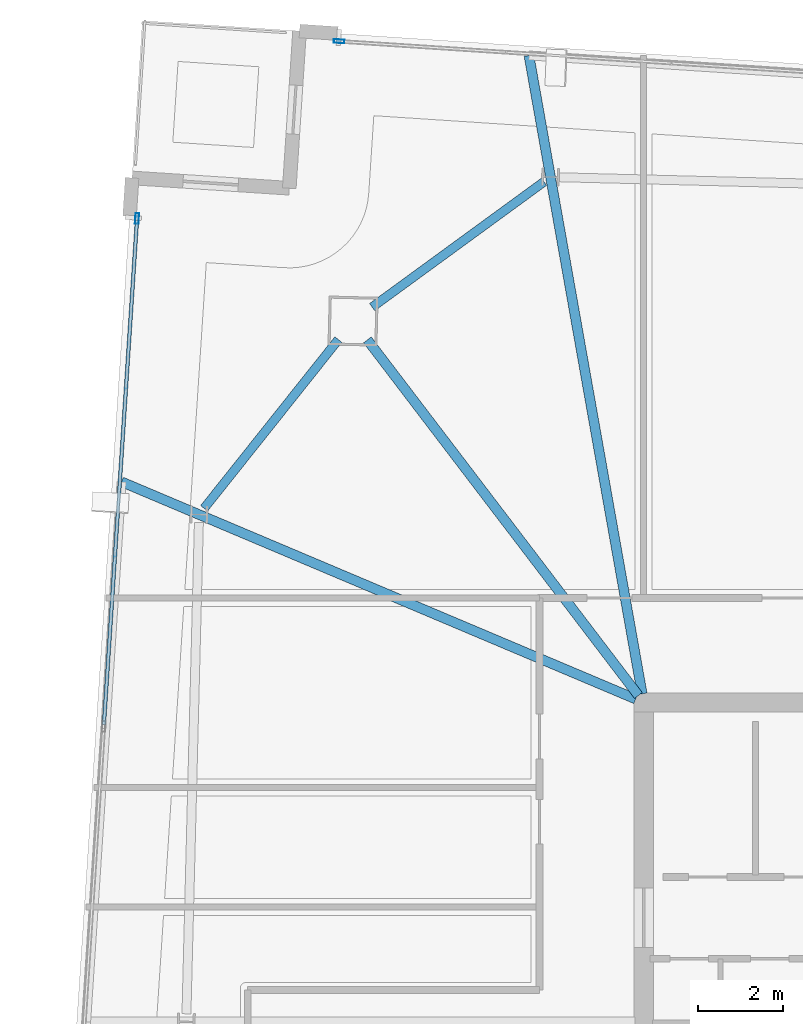
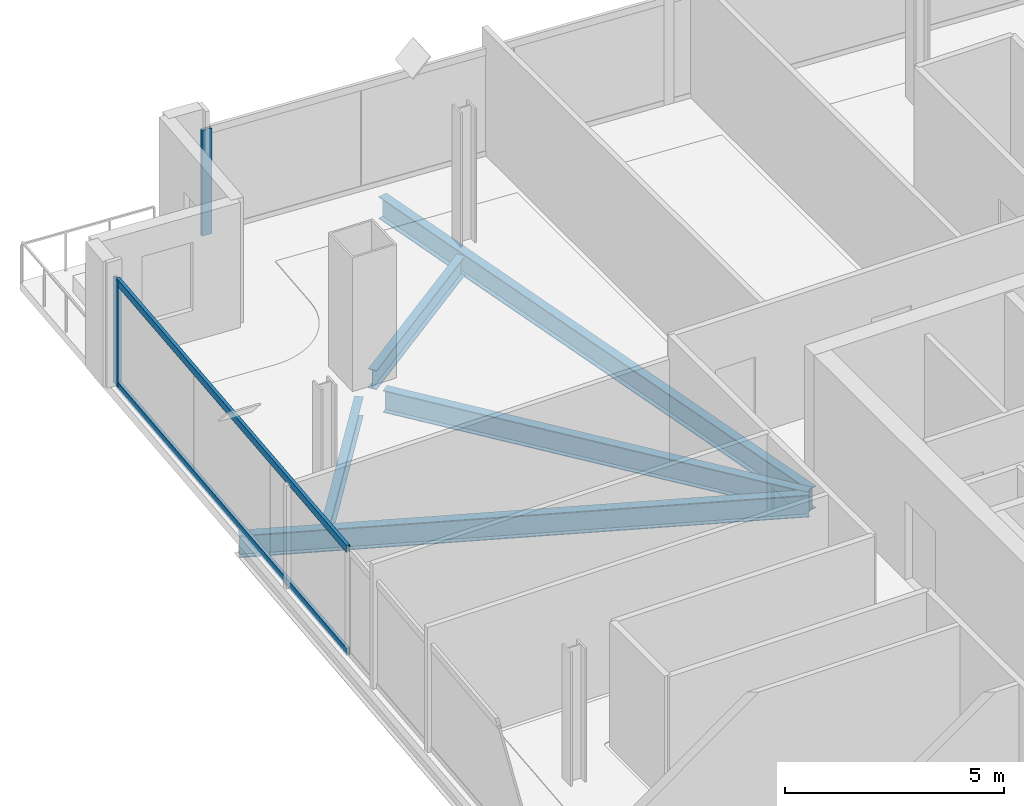
# One storey, part 12 of 24: 5 beams, 4 members, 2 elements without a shape of their own.
"""IFC4 building model written with IfcOpenShell, lengths in metres."""

from ifc_helpers import new_model, si_unit, direction, frame, origin, origin_2d, place, context, subcontext, project, spatial, hollow_rectangle, i_section, extrude, material, material_profile, profile_set, type_object, element, aggregate, save


model = new_model("IFC4")

# Units and contexts
model_context = context("Model", 3, precision=1e-05, world=origin(), true_north=direction((0.0, 1.0)))
body_context = subcontext(model_context, "Body", "Model", "MODEL_VIEW")
ifc_project = project(units=[si_unit("LENGTHUNIT", "METRE"), si_unit("AREAUNIT", "SQUARE_METRE"), si_unit("VOLUMEUNIT", "CUBIC_METRE"), si_unit("PLANEANGLEUNIT", "RADIAN"), si_unit("MASSUNIT", "GRAM", prefix="KILO")], contexts=[model_context])

# Site, building, storey
site_placement = place(None, origin())
site = spatial("IfcSite", under=ifc_project, at=site_placement, CompositionType="ELEMENT")
building_placement = place(site_placement, origin())
building = spatial("IfcBuilding", under=site, at=building_placement, Name="Haldenkirk Collegiate Tower", CompositionType="ELEMENT")
storey_placement = place(building_placement, frame((0.0, 0.0, 317.699951171875)))
storey = spatial("IfcBuildingStorey", under=building, at=storey_placement, Name="L80", CompositionType="ELEMENT", Elevation=317.699951171875)

# Beams
ifc_material_1 = material(Name="Steel ASTM A992 Grade 50", Category="steel")
ifc_material_profile_1 = material_profile(ifc_material_1, i_section(OverallWidth=0.22998046875, OverallDepth=0.616943359375, WebThickness=0.01318359375, FlangeThickness=0.022216796875, at=origin_2d()), Name="W24X94")
ifc_profile_set_1 = profile_set([ifc_material_profile_1], Name="Steel ASTM A992 Grade 50")
beam_type_1 = type_object("IfcBeamType", Name="BM-GIRDER-W24X94", PredefinedType="BEAM", material=ifc_profile_set_1)
beam_1_placement = place(storey_placement, frame((20.510498046875, 42.514404296875, -0.568359375), z_axis=(0.606183308444, -0.79532496287, 0.0), x_axis=(0.79532496287, 0.606183308444, 0.0)))
element("IfcBeam", 1, at=beam_1_placement, inside=storey, type_object=beam_type_1, Name="L80 primary floor girder 03", PredefinedType="BEAM", context=body_context, shape_type="SweptSolid", body=[
    extrude(i_section(OverallWidth=0.22998046875, OverallDepth=0.616943359375, WebThickness=0.01318359375, FlangeThickness=0.022216796875, at=origin_2d()), origin(), (0.0, 0.0, 1.0), 10.50048828125),
])
beam_2_placement = place(storey_placement, frame((24.3046875, 49.194580078125, -0.568359375), z_axis=(0.174655121377, -0.984629670778, 0.0), x_axis=(0.984629670778, 0.174655121377, 0.0)))
element("IfcBeam", 2, at=beam_2_placement, inside=storey, type_object=beam_type_1, Name="L80 primary floor girder 10", PredefinedType="BEAM", context=body_context, shape_type="SweptSolid", body=[
    extrude(i_section(OverallWidth=0.22998046875, OverallDepth=0.616943359375, WebThickness=0.01318359375, FlangeThickness=0.022216796875, at=origin_2d()), origin(), (0.0, 0.0, 1.0), 15.226806640625),
])
beam_3_placement = place(storey_placement, frame((14.736572265625, 39.181396484375, -0.568359375), z_axis=(0.921157878092, -0.389189110369, 0.0), x_axis=(0.389189110369, 0.921157878092, 0.0)))
element("IfcBeam", 3, at=beam_3_placement, inside=storey, type_object=beam_type_1, Name="L80 primary floor girder 11", PredefinedType="BEAM", context=body_context, shape_type="SweptSolid", body=[
    extrude(i_section(OverallWidth=0.22998046875, OverallDepth=0.616943359375, WebThickness=0.01318359375, FlangeThickness=0.022216796875, at=origin_2d()), origin(), (0.0, 0.0, 1.0), 13.108154296875),
])
ifc_material_profile_2 = material_profile(ifc_material_1, i_section(OverallWidth=0.2099609375, OverallDepth=0.537109375, WebThickness=0.010986328125, FlangeThickness=0.017333984375, at=origin_2d()), Name="W21X68")
ifc_profile_set_2 = profile_set([ifc_material_profile_2], Name="Steel ASTM A992 Grade 50")
beam_type_2 = type_object("IfcBeamType", Name="BM-SPANDREL-W21X68", PredefinedType="SPANDREL", material=ifc_profile_set_2)
beam_4_placement = place(storey_placement, frame((24.6591796875, 46.228759765625, -0.528564453125), z_axis=(-0.807792834001, -0.589466485338, 0.0), x_axis=(0.589466485338, -0.807792834001, 0.0)))
element("IfcBeam", 4, at=beam_4_placement, inside=storey, type_object=beam_type_2, Name="L80 perimeter spandrel beam 08", PredefinedType="SPANDREL", context=body_context, shape_type="SweptSolid", body=[
    extrude(i_section(OverallWidth=0.2099609375, OverallDepth=0.537109375, WebThickness=0.010986328125, FlangeThickness=0.017333984375, at=origin_2d()), origin(), (0.0, 0.0, 1.0), 4.997314453125),
])
beam_5_placement = place(storey_placement, frame((19.828369140625, 42.521484375, -0.528564453125), z_axis=(-0.622694005585, -0.782465446783, 0.0), x_axis=(0.782465446783, -0.622694005585, 0.0)))
element("IfcBeam", 5, at=beam_5_placement, inside=storey, type_object=beam_type_2, Name="L80 perimeter spandrel beam 09", PredefinedType="SPANDREL", context=body_context, shape_type="SweptSolid", body=[
    extrude(i_section(OverallWidth=0.2099609375, OverallDepth=0.537109375, WebThickness=0.010986328125, FlangeThickness=0.017333984375, at=origin_2d()), origin(), (0.0, 0.0, 1.0), 5.06396484375),
])

# Curtain wall, member
ifc_material_2 = material(Name="Anodised architectural bronze aluminium", Category="aluminium")
curtain_wall_type = type_object("IfcCurtainWallType", Name="CW-SYS1B-CONVEX-HI", PredefinedType="USERDEFINED", material=ifc_material_2)
curtain_wall_1_placement = place(storey_placement, origin())
curtain_wall_1 = element("IfcCurtainWall", 6, at=curtain_wall_1_placement, inside=storey, type_object=curtain_wall_type, Name="L80 Upper tower high-wind convex bronze unitised curtain wall", ObjectType="UNITISED CURTAIN WALL", PredefinedType="USERDEFINED")
ifc_material_profile_3 = material_profile(ifc_material_2, hollow_rectangle(XDim=0.0849609375, YDim=0.25, WallThickness=0.0048828125, at=origin_2d()), Name="CW-MUL-1B")
ifc_profile_set_3 = profile_set([ifc_material_profile_3], Name="Anodised architectural bronze aluminium")
member_type_1 = type_object("IfcMemberType", Name="CW-MUL-1B", PredefinedType="MULLION", material=ifc_profile_set_3)
member_1_placement = place(storey_placement, frame((19.8466796875, 49.52685546875, 0.0), z_axis=(0.0, 0.0, 1.0), x_axis=(0.065401149336, 0.997859053006, 0.0)))
member_1 = element("IfcMember", 7, at=member_1_placement, type_object=member_type_1, Name="CW-1B mullion 1", PredefinedType="MULLION", context=body_context, shape_type="SweptSolid", body=[
    extrude(hollow_rectangle(XDim=0.0849609375, YDim=0.25, WallThickness=0.0048828125, at=origin_2d()), origin(), (0.0, 0.0, 1.0), 2.947998046875),
])
aggregate(curtain_wall_1, [member_1])

# Curtain wall, members
curtain_wall_2_placement = place(storey_placement, origin())
curtain_wall_2 = element("IfcCurtainWall", 8, at=curtain_wall_2_placement, inside=storey, type_object=curtain_wall_type, Name="L80 Upper tower high-wind convex bronze unitised curtain wall", ObjectType="UNITISED CURTAIN WALL", PredefinedType="USERDEFINED")
member_2_placement = place(storey_placement, frame((15.101806640625, 45.36572265625, 0.0), z_axis=(0.0, 0.0, 1.0), x_axis=(-0.99785893177, 0.065402999064, 0.0)))
member_2 = element("IfcMember", 9, at=member_2_placement, type_object=member_type_1, Name="CW-1B mullion 4", PredefinedType="MULLION", context=body_context, shape_type="SweptSolid", body=[
    extrude(hollow_rectangle(XDim=0.0849609375, YDim=0.25, WallThickness=0.0048828125, at=origin_2d()), origin(), (0.0, 0.0, 1.0), 2.947998046875),
])
ifc_material_profile_4 = material_profile(ifc_material_2, hollow_rectangle(XDim=0.0849609375, YDim=0.199951171875, WallThickness=0.0048828125, at=origin_2d()), Name="CW-TRN-1B")
ifc_profile_set_4 = profile_set([ifc_material_profile_4], Name="Anodised architectural bronze aluminium")
member_type_2 = type_object("IfcMemberType", Name="CW-TRN-1B", PredefinedType="USERDEFINED", material=ifc_profile_set_4)
member_3_placement = place(storey_placement, frame((14.322509765625, 33.476318359375, 0.04248046875), z_axis=(0.065413438131, 0.997858247504, 0.0), x_axis=(-0.997858247504, 0.065413438131, 0.0)))
member_3 = element("IfcMember", 10, at=member_3_placement, type_object=member_type_2, Name="CW-1B transom 3.1", ObjectType="TRANSOM", PredefinedType="USERDEFINED", context=body_context, shape_type="SweptSolid", body=[
    extrude(hollow_rectangle(XDim=0.0849609375, YDim=0.199951171875, WallThickness=0.0048828125, at=origin_2d()), origin(), (0.0, 0.0, 1.0), 11.872314453125),
])
member_4_placement = place(storey_placement, frame((14.322509765625, 33.476318359375, 2.905517578125), z_axis=(0.065413438131, 0.997858247504, 0.0), x_axis=(-0.997858247504, 0.065413438131, 0.0)))
member_4 = element("IfcMember", 11, at=member_4_placement, type_object=member_type_2, Name="CW-1B transom 3.2", ObjectType="TRANSOM", PredefinedType="USERDEFINED", context=body_context, shape_type="SweptSolid", body=[
    extrude(hollow_rectangle(XDim=0.0849609375, YDim=0.199951171875, WallThickness=0.0048828125, at=origin_2d()), origin(), (0.0, 0.0, 1.0), 11.872314453125),
])
aggregate(curtain_wall_2, [member_2, member_3, member_4])

save(model, "model.ifc")
